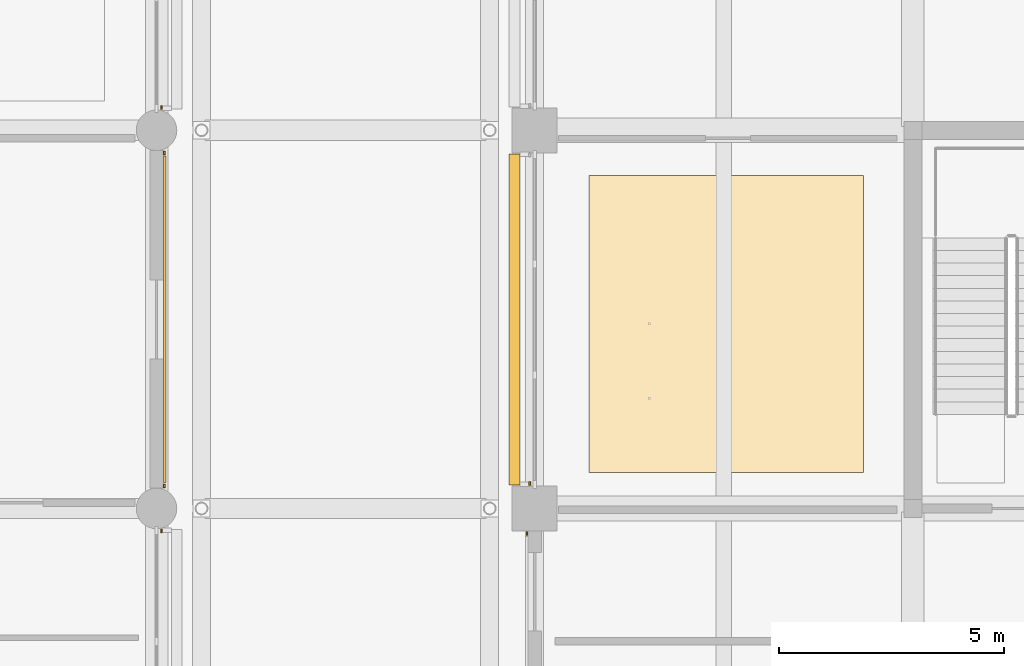
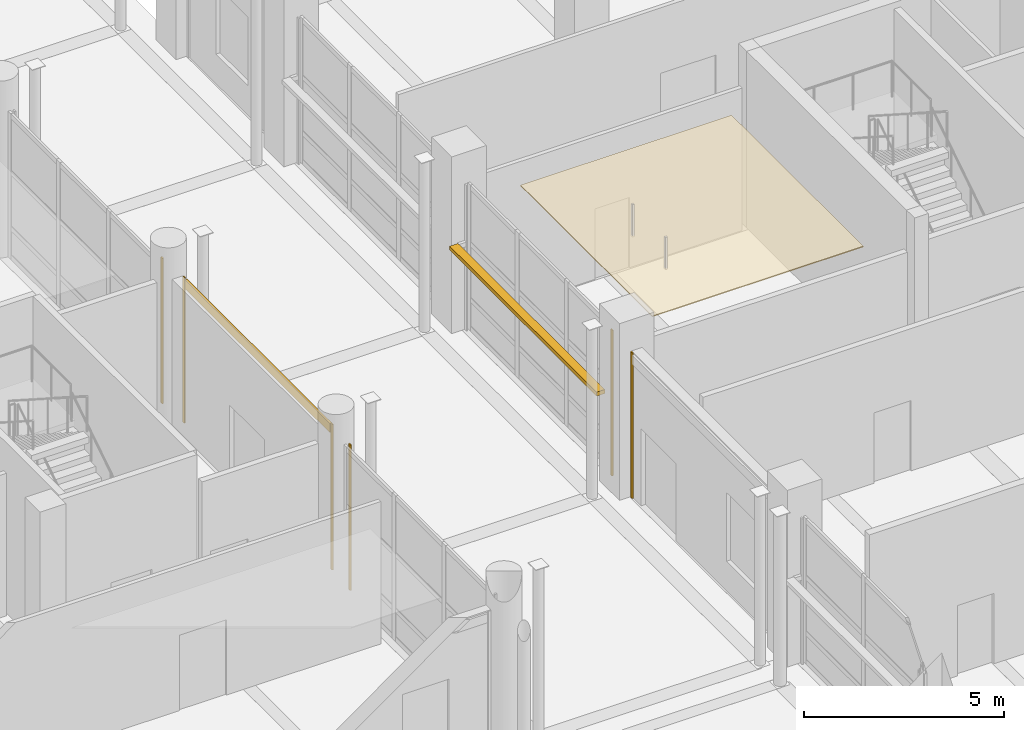
# One storey, part 101 of 140: 8 coverings, 1 shading device.
"""IFC4 building model written with IfcOpenShell, lengths in metres."""

from ifc_helpers import new_model, si_unit, direction, frame, origin, origin_2d, place, context, subcontext, project, spatial, polyline, rectangle, outline, extrude, material, layer, layer_set, type_object, element, save


model = new_model("IFC4")

# Units and contexts
model_context = context("Model", 3, precision=1e-05, world=origin(), true_north=direction((0.0, 1.0)))
body_context = subcontext(model_context, "Body", "Model", "MODEL_VIEW")
ifc_project = project(units=[si_unit("LENGTHUNIT", "METRE"), si_unit("AREAUNIT", "SQUARE_METRE"), si_unit("VOLUMEUNIT", "CUBIC_METRE"), si_unit("PLANEANGLEUNIT", "RADIAN"), si_unit("MASSUNIT", "GRAM", prefix="KILO")], contexts=[model_context])

# Site, building, storey
site_placement = place(None, origin())
site = spatial("IfcSite", under=ifc_project, at=site_placement, CompositionType="ELEMENT")
building_placement = place(site_placement, origin())
building = spatial("IfcBuilding", under=site, at=building_placement, Name="Telukmera Botanical Conservatory", CompositionType="ELEMENT")
storey_placement = place(building_placement, origin())
storey = spatial("IfcBuildingStorey", under=building, at=storey_placement, Name="L00", CompositionType="ELEMENT", Elevation=0.0)

# Coverings
ifc_material_1 = material(Name="Mineral fibre acoustic ceiling")
ifc_layer_1 = layer(ifc_material_1, 0.030029296875)
ifc_layer_set_1 = layer_set([ifc_layer_1], Name="Mineral fibre acoustic ceiling")
covering_type_1 = type_object("IfcCoveringType", Name="COV-CEIL-30", PredefinedType="CEILING", material=ifc_layer_set_1)
covering_1_placement = place(storey_placement, frame((0.0, 0.0, 4.219970703125)))
element("IfcCovering", 1, at=covering_1_placement, inside=storey, type_object=covering_type_1, Name="L00 Boulevard Security Control Room Suspended Acoustic Ceiling", PredefinedType="CEILING", context=body_context, shape_type="SweptSolid", body=[
    extrude(outline(polyline([(51.60009765625, 26.800048828125), (57.699951171875, 26.800048828125), (57.699951171875, 33.39990234375), (51.60009765625, 33.39990234375), (51.60009765625, 26.800048828125)])), origin(), (0.0, 0.0, 1.0), 0.030029296875),
])
ifc_material_2 = material(Name="Granite-faced precast concrete C40/50", Category="masonry")
ifc_layer_2 = layer(ifc_material_2, 0.0400390625)
ifc_layer_set_2 = layer_set([ifc_layer_2], Name="Granite-faced precast concrete C40/50")
covering_type_2 = type_object("IfcCoveringType", Name="Granite Precast Column Pier Reveal Casing", PredefinedType="CLADDING", material=ifc_layer_set_2)
for number, where, z_axis, x_axis, name in (
    (2, (42.110107421875, 25.498046875, 0.0), (0.0, 0.0, 1.0), (0.0, 1.0, 0.0), "Granite Pier Reveal V3:L00:E1 R"),
    (3, (42.169921875, 26.501953125, 0.0), (0.0, 0.0, 1.0), (0.0, 1.0, 0.0), "Granite Pier Reveal V3:L00:E2 L"),
    (4, (42.169921875, 33.89794921875, 0.0), (0.0, 0.0, 1.0), (0.0, 1.0, 0.0), "Granite Pier Reveal V3:L00:E2 R"),
    (5, (42.110107421875, 34.902099609375, 0.0), (0.0, 0.0, 1.0), (0.0, 1.0, 0.0), "Granite Pier Reveal V3:L00:E3 L"),
    (6, (50.22998046875, 25.447998046875, 0.0), (0.0, 0.0, 1.0), (0.0, 1.0, 0.0), "Granite Pier Reveal V4:L00:W2 R"),
    (7, (50.2900390625, 26.552001953125, 0.0), (0.0, 0.0, 1.0), (0.0, 1.0, 0.0), "Granite Pier Reveal V4:L00:W3 L"),
):
    element("IfcCovering", number, at=place(storey_placement, frame(where, z_axis=z_axis, x_axis=x_axis)), inside=storey, type_object=covering_type_2, Name=name, PredefinedType="CLADDING", context=body_context, shape_type="SweptSolid", body=[
        extrude(rectangle(XDim=0.080078125, YDim=0.0400390625, at=origin_2d()), origin(), (0.0, 0.0, 1.0), 4.449951171875),
    ])

# Shading device
ifc_material_3 = material(Name="Perforated terracotta-anodised aluminium 6063-T6", Category="masonry")
ifc_layer_3 = layer(ifc_material_3, 0.044921875)
ifc_layer_set_3 = layer_set([ifc_layer_3], Name="Perforated terracotta-anodised aluminium 6063-T6")
shading_device_type = type_object("IfcShadingDeviceType", Name="Perforated Terracotta Aluminium Monsoon Brise Soleil", PredefinedType="JALOUSIE", material=ifc_layer_set_3)
shading_device_placement = place(storey_placement, frame((49.949951171875, 30.199951171875, 2.58984375), z_axis=(0.0, 0.0, 1.0), x_axis=(0.0, 1.0, 0.0)))
element("IfcShadingDevice", 8, at=shading_device_placement, inside=storey, type_object=shading_device_type, Name="Monsoon Shading BS01 V4:L00:W3", PredefinedType="JALOUSIE", context=body_context, shape_type="SweptSolid", body=[
    extrude(rectangle(XDim=7.35595703125, YDim=0.239990234375, at=origin_2d()), origin(), (0.0, 0.0, 1.0), 0.1201171875),
])

# Covering
ifc_material_4 = material(Name="Terracotta-faced precast concrete C40/50", Category="masonry")
ifc_layer_4 = layer(ifc_material_4, 0.06005859375)
ifc_layer_set_4 = layer_set([ifc_layer_4], Name="Terracotta-faced precast concrete C40/50")
covering_type_3 = type_object("IfcCoveringType", Name="Polychrome Terracotta Facade Band Cladding", PredefinedType="CLADDING", material=ifc_layer_set_4)
covering_2_placement = place(storey_placement, frame((42.179931640625, 30.199951171875, 4.1298828125), z_axis=(0.0, 0.0, 1.0), x_axis=(0.0, 1.0, 0.0)))
element("IfcCovering", 9, at=covering_2_placement, inside=storey, type_object=covering_type_3, Name="Polychrome Terracotta Band V3:L00:E2", PredefinedType="CLADDING", context=body_context, shape_type="SweptSolid", body=[
    extrude(rectangle(XDim=7.256103515625, YDim=0.06005859375, at=origin_2d()), origin(), (0.0, 0.0, 1.0), 0.280029296875),
])

save(model, "model.ifc")
